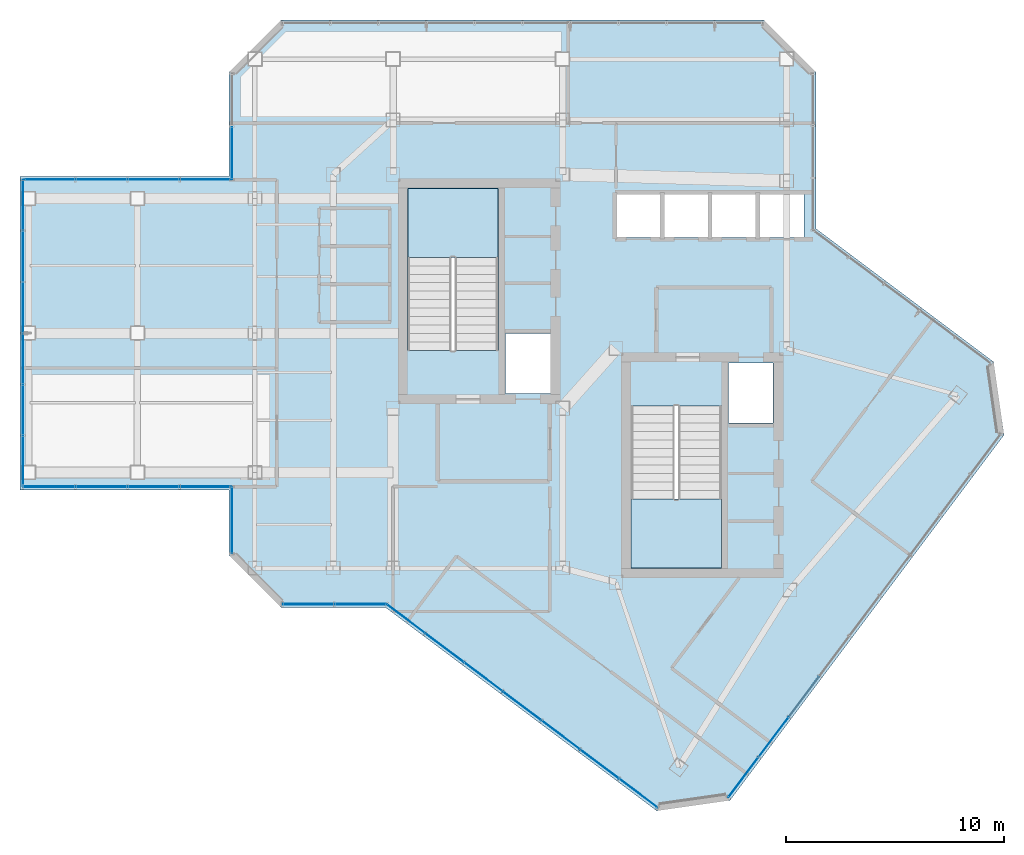
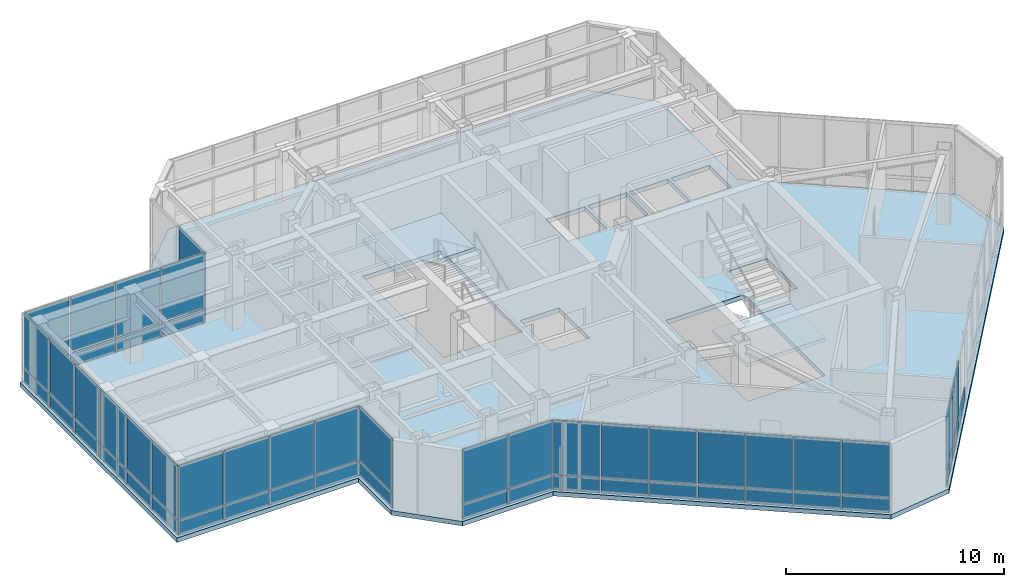
# One storey, part 16 of 22: 55 plates, 3 slabs, 10 elements without a shape of their own.
"""IFC4 building model written with IfcOpenShell, lengths in metres."""

from ifc_helpers import new_model, si_unit, direction, frame, origin, origin_2d, place, context, subcontext, project, spatial, polyline, rectangle, outline, extrude, material, layer, layer_set, type_object, element, aggregate, save


model = new_model("IFC4")

# Units and contexts
model_context = context("Model", 3, precision=1e-05, world=origin(), true_north=direction((0.0, 1.0)))
body_context = subcontext(model_context, "Body", "Model", "MODEL_VIEW")
ifc_project = project(units=[si_unit("LENGTHUNIT", "METRE"), si_unit("AREAUNIT", "SQUARE_METRE"), si_unit("VOLUMEUNIT", "CUBIC_METRE"), si_unit("PLANEANGLEUNIT", "RADIAN"), si_unit("MASSUNIT", "GRAM", prefix="KILO")], contexts=[model_context])

# Site, building, storey
site_placement = place(None, origin())
site = spatial("IfcSite", under=ifc_project, at=site_placement, CompositionType="ELEMENT")
building_placement = place(site_placement, origin())
building = spatial("IfcBuilding", under=site, at=building_placement, Name="Hatsunagi Terrace Concourse", CompositionType="ELEMENT")
storey_placement = place(building_placement, frame((0.0, 0.0, 261.75)))
storey = spatial("IfcBuildingStorey", under=building, at=storey_placement, Name="L69", CompositionType="ELEMENT", Elevation=261.75)

# Curtain wall, plate
ifc_material_1 = material(Name="Anodised Aluminium Alloy 6063-T5", Category="aluminium")
ifc_layer_1 = layer(ifc_material_1, 0.199951171875)
ifc_layer_set_1 = layer_set([ifc_layer_1], Name="SkyLobbyAtrium_CW05")
curtain_wall_type = type_object("IfcCurtainWallType", Name="SkyLobbyAtrium_CW05", PredefinedType="NOTDEFINED", material=ifc_layer_set_1)
curtain_wall_1_placement = place(storey_placement, origin())
curtain_wall_1 = element("IfcCurtainWall", 1, at=curtain_wall_1_placement, inside=storey, type_object=curtain_wall_type, Name="Unitised Curtain Wall CW-05 CW-L69-01", PredefinedType="NOTDEFINED")
ifc_material_2 = material(Name="Warm Terracotta Ceramic Spandrel Panel", Category="masonry")
ifc_layer_2 = layer(ifc_material_2, 0.031982421875)
ifc_layer_set_2 = layer_set([ifc_layer_2], Name="CurtainWallSpandrelPanel_32")
plate_type_1 = type_object("IfcPlateType", Name="CurtainWallSpandrelPanel_32", PredefinedType="SHEET", material=ifc_layer_set_2)
plate_1_placement = place(storey_placement, frame((18.139892578125, 44.281005859375, 0.030029296875), z_axis=(0.0, 0.0, 1.0), x_axis=(0.0, 1.0, 0.0)))
plate_1 = element("IfcPlate", 2, at=plate_1_placement, type_object=plate_type_1, Name="Terracotta Spandrel Panel SPN-01", PredefinedType="SHEET", context=body_context, shape_type="SweptSolid", body=[
    extrude(rectangle(XDim=2.385986328125, YDim=0.031982421875, at=origin_2d()), origin(), (0.0, 0.0, 1.0), 0.7900390625),
])

# Curtain wall, plates
curtain_wall_2_placement = place(storey_placement, origin())
curtain_wall_2 = element("IfcCurtainWall", 3, at=curtain_wall_2_placement, inside=storey, type_object=curtain_wall_type, Name="Unitised Curtain Wall CW-05 CW-L69-08", PredefinedType="NOTDEFINED")
plate_2_placement = place(storey_placement, frame((44.444091796875, 19.291015625, 0.030029296875), z_axis=(0.0, 0.0, 1.0), x_axis=(-0.599969314634, -0.800023013105, 0.0)))
plate_2 = element("IfcPlate", 4, at=plate_2_placement, type_object=plate_type_1, Name="Terracotta Spandrel Panel SPN-01", PredefinedType="SHEET", context=body_context, shape_type="SweptSolid", body=[
    extrude(rectangle(XDim=2.264892578125, YDim=0.031982421875, at=origin_2d()), origin(), (0.0, 0.0, 1.0), 0.7900390625),
])
plate_3_placement = place(storey_placement, frame((43.051025390625, 17.43505859375, 0.030029296875), z_axis=(0.0, 0.0, 1.0), x_axis=(-0.599969314634, -0.800023013105, 0.0)))
plate_3 = element("IfcPlate", 5, at=plate_3_placement, type_object=plate_type_1, Name="Terracotta Spandrel Panel SPN-01", PredefinedType="SHEET", context=body_context, shape_type="SweptSolid", body=[
    extrude(rectangle(XDim=2.264892578125, YDim=0.031982421875, at=origin_2d()), origin(), (0.0, 0.0, 1.0), 0.7900390625),
])
plate_4_placement = place(storey_placement, frame((41.658935546875, 15.577880859375, 0.030029296875), z_axis=(0.0, 0.0, 1.0), x_axis=(-0.599969314634, -0.800023013105, 0.0)))
plate_4 = element("IfcPlate", 6, at=plate_4_placement, type_object=plate_type_1, Name="Terracotta Spandrel Panel SPN-01", PredefinedType="SHEET", context=body_context, shape_type="SweptSolid", body=[
    extrude(rectangle(XDim=2.264892578125, YDim=0.031982421875, at=origin_2d()), origin(), (0.0, 0.0, 1.0), 0.7900390625),
])

curtain_wall_3_placement = place(storey_placement, origin())
curtain_wall_3 = element("IfcCurtainWall", 7, at=curtain_wall_3_placement, inside=storey, type_object=curtain_wall_type, Name="Unitised Curtain Wall CW-05 CW-L69-10", PredefinedType="NOTDEFINED")
plate_5_placement = place(storey_placement, frame((36.826904296875, 14.85498046875, 0.030029296875), z_axis=(0.0, 0.0, 1.0), x_axis=(-0.800007305671, 0.599990258982, 0.0)))
plate_5 = element("IfcPlate", 8, at=plate_5_placement, type_object=plate_type_1, Name="Terracotta Spandrel Panel SPN-01", PredefinedType="SHEET", context=body_context, shape_type="SweptSolid", body=[
    extrude(rectangle(XDim=2.172119140625, YDim=0.031982421875, at=origin_2d()), origin(), (0.0, 0.0, 1.0), 0.7900390625),
])
plate_6_placement = place(storey_placement, frame((35.0458984375, 16.19091796875, 0.030029296875), z_axis=(0.0, 0.0, 1.0), x_axis=(-0.800007305671, 0.599990258982, 0.0)))
plate_6 = element("IfcPlate", 9, at=plate_6_placement, type_object=plate_type_1, Name="Terracotta Spandrel Panel SPN-01", PredefinedType="SHEET", context=body_context, shape_type="SweptSolid", body=[
    extrude(rectangle(XDim=2.172119140625, YDim=0.031982421875, at=origin_2d()), origin(), (0.0, 0.0, 1.0), 0.7900390625),
])
plate_7_placement = place(storey_placement, frame((33.263916015625, 17.527099609375, 0.030029296875), z_axis=(0.0, 0.0, 1.0), x_axis=(-0.800007305671, 0.599990258982, 0.0)))
plate_7 = element("IfcPlate", 10, at=plate_7_placement, type_object=plate_type_1, Name="Terracotta Spandrel Panel SPN-01", PredefinedType="SHEET", context=body_context, shape_type="SweptSolid", body=[
    extrude(rectangle(XDim=2.172119140625, YDim=0.031982421875, at=origin_2d()), origin(), (0.0, 0.0, 1.0), 0.7900390625),
])
plate_8_placement = place(storey_placement, frame((31.48291015625, 18.863037109375, 0.030029296875), z_axis=(0.0, 0.0, 1.0), x_axis=(-0.800007305671, 0.599990258982, 0.0)))
plate_8 = element("IfcPlate", 11, at=plate_8_placement, type_object=plate_type_1, Name="Terracotta Spandrel Panel SPN-01", PredefinedType="SHEET", context=body_context, shape_type="SweptSolid", body=[
    extrude(rectangle(XDim=2.172119140625, YDim=0.031982421875, at=origin_2d()), origin(), (0.0, 0.0, 1.0), 0.7900390625),
])
plate_9_placement = place(storey_placement, frame((29.700927734375, 20.199951171875, 0.030029296875), z_axis=(0.0, 0.0, 1.0), x_axis=(-0.800007305671, 0.599990258982, 0.0)))
plate_9 = element("IfcPlate", 12, at=plate_9_placement, type_object=plate_type_1, Name="Terracotta Spandrel Panel SPN-01", PredefinedType="SHEET", context=body_context, shape_type="SweptSolid", body=[
    extrude(rectangle(XDim=2.172119140625, YDim=0.031982421875, at=origin_2d()), origin(), (0.0, 0.0, 1.0), 0.7900390625),
])
plate_10_placement = place(storey_placement, frame((27.9189453125, 21.535888671875, 0.030029296875), z_axis=(0.0, 0.0, 1.0), x_axis=(-0.800007305671, 0.599990258982, 0.0)))
plate_10 = element("IfcPlate", 13, at=plate_10_placement, type_object=plate_type_1, Name="Terracotta Spandrel Panel SPN-01", PredefinedType="SHEET", context=body_context, shape_type="SweptSolid", body=[
    extrude(rectangle(XDim=2.172119140625, YDim=0.031982421875, at=origin_2d()), origin(), (0.0, 0.0, 1.0), 0.7900390625),
])
plate_11_placement = place(storey_placement, frame((26.137939453125, 22.8720703125, 0.030029296875), z_axis=(0.0, 0.0, 1.0), x_axis=(-0.800007305671, 0.599990258982, 0.0)))
plate_11 = element("IfcPlate", 14, at=plate_11_placement, type_object=plate_type_1, Name="Terracotta Spandrel Panel SPN-01", PredefinedType="SHEET", context=body_context, shape_type="SweptSolid", body=[
    extrude(rectangle(XDim=2.172119140625, YDim=0.031982421875, at=origin_2d()), origin(), (0.0, 0.0, 1.0), 0.7900390625),
])

curtain_wall_4_placement = place(storey_placement, origin())
curtain_wall_4 = element("IfcCurtainWall", 15, at=curtain_wall_4_placement, inside=storey, type_object=curtain_wall_type, Name="Unitised Curtain Wall CW-05 CW-L69-11", PredefinedType="NOTDEFINED")
plate_12_placement = place(storey_placement, frame((24.050048828125, 23.5400390625, 0.030029296875), z_axis=(0.0, 0.0, 1.0), x_axis=(-1.0, 0.0, 0.0)))
plate_12 = element("IfcPlate", 16, at=plate_12_placement, type_object=plate_type_1, Name="Terracotta Spandrel Panel SPN-01", PredefinedType="SHEET", context=body_context, shape_type="SweptSolid", body=[
    extrude(rectangle(XDim=2.340087890625, YDim=0.031982421875, at=origin_2d()), origin(), (0.0, 0.0, 1.0), 0.7900390625),
])
plate_13_placement = place(storey_placement, frame((21.655029296875, 23.5400390625, 0.030029296875), z_axis=(0.0, 0.0, 1.0), x_axis=(-1.0, 0.0, 0.0)))
plate_13 = element("IfcPlate", 17, at=plate_13_placement, type_object=plate_type_1, Name="Terracotta Spandrel Panel SPN-01", PredefinedType="SHEET", context=body_context, shape_type="SweptSolid", body=[
    extrude(rectangle(XDim=2.340087890625, YDim=0.031982421875, at=origin_2d()), origin(), (0.0, 0.0, 1.0), 0.7900390625),
])

# Curtain wall, plate
curtain_wall_5_placement = place(storey_placement, origin())
curtain_wall_5 = element("IfcCurtainWall", 18, at=curtain_wall_5_placement, inside=storey, type_object=curtain_wall_type, Name="Unitised Curtain Wall CW-05 CW-L69-13", PredefinedType="NOTDEFINED")
plate_14_placement = place(storey_placement, frame((18.139892578125, 27.39892578125, 0.030029296875), z_axis=(0.0, 0.0, 1.0), x_axis=(0.0, 1.0, 0.0)))
plate_14 = element("IfcPlate", 19, at=plate_14_placement, type_object=plate_type_1, Name="Terracotta Spandrel Panel SPN-01", PredefinedType="SHEET", context=body_context, shape_type="SweptSolid", body=[
    extrude(rectangle(XDim=3.027099609375, YDim=0.031982421875, at=origin_2d()), origin(), (0.0, 0.0, 1.0), 0.7900390625),
])

# Curtain wall, plates
curtain_wall_6_placement = place(storey_placement, origin())
curtain_wall_6 = element("IfcCurtainWall", 20, at=curtain_wall_6_placement, inside=storey, type_object=curtain_wall_type, Name="Unitised Curtain Wall CW-05 CW-L69-14", PredefinedType="NOTDEFINED")
plate_15_placement = place(storey_placement, frame((16.93994140625, 28.93994140625, 0.030029296875), z_axis=(0.0, 0.0, 1.0), x_axis=(-1.0, 0.0, 0.0)))
plate_15 = element("IfcPlate", 21, at=plate_15_placement, type_object=plate_type_1, Name="Terracotta Spandrel Panel SPN-01", PredefinedType="SHEET", context=body_context, shape_type="SweptSolid", body=[
    extrude(rectangle(XDim=2.344970703125, YDim=0.031982421875, at=origin_2d()), origin(), (0.0, 0.0, 1.0), 0.7900390625),
])
plate_16_placement = place(storey_placement, frame((14.5400390625, 28.93994140625, 0.030029296875), z_axis=(0.0, 0.0, 1.0), x_axis=(-1.0, 0.0, 0.0)))
plate_16 = element("IfcPlate", 22, at=plate_16_placement, type_object=plate_type_1, Name="Terracotta Spandrel Panel SPN-01", PredefinedType="SHEET", context=body_context, shape_type="SweptSolid", body=[
    extrude(rectangle(XDim=2.344970703125, YDim=0.031982421875, at=origin_2d()), origin(), (0.0, 0.0, 1.0), 0.7900390625),
])
plate_17_placement = place(storey_placement, frame((12.139892578125, 28.93994140625, 0.030029296875), z_axis=(0.0, 0.0, 1.0), x_axis=(-1.0, 0.0, 0.0)))
plate_17 = element("IfcPlate", 23, at=plate_17_placement, type_object=plate_type_1, Name="Terracotta Spandrel Panel SPN-01", PredefinedType="SHEET", context=body_context, shape_type="SweptSolid", body=[
    extrude(rectangle(XDim=2.344970703125, YDim=0.031982421875, at=origin_2d()), origin(), (0.0, 0.0, 1.0), 0.7900390625),
])
plate_18_placement = place(storey_placement, frame((9.739990234375, 28.93994140625, 0.030029296875), z_axis=(0.0, 0.0, 1.0), x_axis=(-1.0, 0.0, 0.0)))
plate_18 = element("IfcPlate", 24, at=plate_18_placement, type_object=plate_type_1, Name="Terracotta Spandrel Panel SPN-01", PredefinedType="SHEET", context=body_context, shape_type="SweptSolid", body=[
    extrude(rectangle(XDim=2.344970703125, YDim=0.031982421875, at=origin_2d()), origin(), (0.0, 0.0, 1.0), 0.7900390625),
])

curtain_wall_7_placement = place(storey_placement, origin())
curtain_wall_7 = element("IfcCurtainWall", 25, at=curtain_wall_7_placement, inside=storey, type_object=curtain_wall_type, Name="Unitised Curtain Wall CW-05 CW-L69-15", PredefinedType="NOTDEFINED")
plate_19_placement = place(storey_placement, frame((8.5400390625, 30.116943359375, 0.030029296875), z_axis=(0.0, 0.0, 1.0), x_axis=(0.0, 1.0, 0.0)))
plate_19 = element("IfcPlate", 26, at=plate_19_placement, type_object=plate_type_1, Name="Terracotta Spandrel Panel SPN-01", PredefinedType="SHEET", context=body_context, shape_type="SweptSolid", body=[
    extrude(rectangle(XDim=2.298095703125, YDim=0.031982421875, at=origin_2d()), origin(), (0.0, 0.0, 1.0), 0.7900390625),
])
plate_20_placement = place(storey_placement, frame((8.5400390625, 32.469970703125, 0.030029296875), z_axis=(0.0, 0.0, 1.0), x_axis=(0.0, 1.0, 0.0)))
plate_20 = element("IfcPlate", 27, at=plate_20_placement, type_object=plate_type_1, Name="Terracotta Spandrel Panel SPN-01", PredefinedType="SHEET", context=body_context, shape_type="SweptSolid", body=[
    extrude(rectangle(XDim=2.298095703125, YDim=0.031982421875, at=origin_2d()), origin(), (0.0, 0.0, 1.0), 0.7900390625),
])
plate_21_placement = place(storey_placement, frame((8.5400390625, 34.822998046875, 0.030029296875), z_axis=(0.0, 0.0, 1.0), x_axis=(0.0, 1.0, 0.0)))
plate_21 = element("IfcPlate", 28, at=plate_21_placement, type_object=plate_type_1, Name="Terracotta Spandrel Panel SPN-01", PredefinedType="SHEET", context=body_context, shape_type="SweptSolid", body=[
    extrude(rectangle(XDim=2.298095703125, YDim=0.031982421875, at=origin_2d()), origin(), (0.0, 0.0, 1.0), 0.7900390625),
])
plate_22_placement = place(storey_placement, frame((8.5400390625, 37.177001953125, 0.030029296875), z_axis=(0.0, 0.0, 1.0), x_axis=(0.0, 1.0, 0.0)))
plate_22 = element("IfcPlate", 29, at=plate_22_placement, type_object=plate_type_1, Name="Terracotta Spandrel Panel SPN-01", PredefinedType="SHEET", context=body_context, shape_type="SweptSolid", body=[
    extrude(rectangle(XDim=2.298095703125, YDim=0.031982421875, at=origin_2d()), origin(), (0.0, 0.0, 1.0), 0.7900390625),
])
plate_23_placement = place(storey_placement, frame((8.5400390625, 39.530029296875, 0.030029296875), z_axis=(0.0, 0.0, 1.0), x_axis=(0.0, 1.0, 0.0)))
plate_23 = element("IfcPlate", 30, at=plate_23_placement, type_object=plate_type_1, Name="Terracotta Spandrel Panel SPN-01", PredefinedType="SHEET", context=body_context, shape_type="SweptSolid", body=[
    extrude(rectangle(XDim=2.298095703125, YDim=0.031982421875, at=origin_2d()), origin(), (0.0, 0.0, 1.0), 0.7900390625),
])
plate_24_placement = place(storey_placement, frame((8.5400390625, 41.883056640625, 0.030029296875), z_axis=(0.0, 0.0, 1.0), x_axis=(0.0, 1.0, 0.0)))
plate_24 = element("IfcPlate", 31, at=plate_24_placement, type_object=plate_type_1, Name="Terracotta Spandrel Panel SPN-01", PredefinedType="SHEET", context=body_context, shape_type="SweptSolid", body=[
    extrude(rectangle(XDim=2.298095703125, YDim=0.031982421875, at=origin_2d()), origin(), (0.0, 0.0, 1.0), 0.7900390625),
])

curtain_wall_8_placement = place(storey_placement, origin())
curtain_wall_8 = element("IfcCurtainWall", 32, at=curtain_wall_8_placement, inside=storey, type_object=curtain_wall_type, Name="Unitised Curtain Wall CW-05 CW-L69-16", PredefinedType="NOTDEFINED")
plate_25_placement = place(storey_placement, frame((9.739990234375, 43.06005859375, 0.030029296875), z_axis=(0.0, 0.0, 1.0), x_axis=(1.0, 0.0, 0.0)))
plate_25 = element("IfcPlate", 33, at=plate_25_placement, type_object=plate_type_1, Name="Terracotta Spandrel Panel SPN-01", PredefinedType="SHEET", context=body_context, shape_type="SweptSolid", body=[
    extrude(rectangle(XDim=2.344970703125, YDim=0.031982421875, at=origin_2d()), origin(), (0.0, 0.0, 1.0), 0.7900390625),
])
plate_26_placement = place(storey_placement, frame((12.139892578125, 43.06005859375, 0.030029296875), z_axis=(0.0, 0.0, 1.0), x_axis=(1.0, 0.0, 0.0)))
plate_26 = element("IfcPlate", 34, at=plate_26_placement, type_object=plate_type_1, Name="Terracotta Spandrel Panel SPN-01", PredefinedType="SHEET", context=body_context, shape_type="SweptSolid", body=[
    extrude(rectangle(XDim=2.344970703125, YDim=0.031982421875, at=origin_2d()), origin(), (0.0, 0.0, 1.0), 0.7900390625),
])
plate_27_placement = place(storey_placement, frame((14.5400390625, 43.06005859375, 0.030029296875), z_axis=(0.0, 0.0, 1.0), x_axis=(1.0, 0.0, 0.0)))
plate_27 = element("IfcPlate", 35, at=plate_27_placement, type_object=plate_type_1, Name="Terracotta Spandrel Panel SPN-01", PredefinedType="SHEET", context=body_context, shape_type="SweptSolid", body=[
    extrude(rectangle(XDim=2.344970703125, YDim=0.031982421875, at=origin_2d()), origin(), (0.0, 0.0, 1.0), 0.7900390625),
])
plate_28_placement = place(storey_placement, frame((16.93994140625, 43.06005859375, 0.030029296875), z_axis=(0.0, 0.0, 1.0), x_axis=(1.0, 0.0, 0.0)))
plate_28 = element("IfcPlate", 36, at=plate_28_placement, type_object=plate_type_1, Name="Terracotta Spandrel Panel SPN-01", PredefinedType="SHEET", context=body_context, shape_type="SweptSolid", body=[
    extrude(rectangle(XDim=2.344970703125, YDim=0.031982421875, at=origin_2d()), origin(), (0.0, 0.0, 1.0), 0.7900390625),
])

# Plate
ifc_material_3 = material(Name="Low-E Double Insulating Glass 28mm", Category="glass")
ifc_layer_3 = layer(ifc_material_3, 0.028076171875)
ifc_layer_set_3 = layer_set([ifc_layer_3], Name="CurtainWallVisionGlass_28")
plate_type_2 = type_object("IfcPlateType", Name="CurtainWallVisionGlass_28", PredefinedType="CURTAIN_PANEL", material=ifc_layer_set_3)
plate_29_placement = place(storey_placement, frame((18.139892578125, 44.281005859375, 0.8798828125), z_axis=(0.0, 0.0, 1.0), x_axis=(0.0, 1.0, 0.0)))
plate_29 = element("IfcPlate", 37, at=plate_29_placement, type_object=plate_type_2, Name="Low-E Vision Glass Panel GLZ-01", PredefinedType="CURTAIN_PANEL", context=body_context, shape_type="SweptSolid", body=[
    extrude(rectangle(XDim=2.385986328125, YDim=0.028076171875, at=origin_2d()), origin(), (0.0, 0.0, 1.0), 3.030029296875),
])

aggregate(curtain_wall_1, [plate_1, plate_29])

plate_30_placement = place(storey_placement, frame((43.051025390625, 17.43505859375, 0.8798828125), z_axis=(0.0, 0.0, 1.0), x_axis=(-0.599969314634, -0.800023013105, 0.0)))
plate_30 = element("IfcPlate", 38, at=plate_30_placement, type_object=plate_type_2, Name="Low-E Vision Glass Panel GLZ-01", PredefinedType="CURTAIN_PANEL", context=body_context, shape_type="SweptSolid", body=[
    extrude(rectangle(XDim=2.264892578125, YDim=0.028076171875, at=origin_2d()), origin(), (0.0, 0.0, 1.0), 3.030029296875),
])

plate_31_placement = place(storey_placement, frame((41.658935546875, 15.577880859375, 0.8798828125), z_axis=(0.0, 0.0, 1.0), x_axis=(-0.599969314634, -0.800023013105, 0.0)))
plate_31 = element("IfcPlate", 39, at=plate_31_placement, type_object=plate_type_2, Name="Low-E Vision Glass Panel GLZ-01", PredefinedType="CURTAIN_PANEL", context=body_context, shape_type="SweptSolid", body=[
    extrude(rectangle(XDim=2.264892578125, YDim=0.028076171875, at=origin_2d()), origin(), (0.0, 0.0, 1.0), 3.030029296875),
])

aggregate(curtain_wall_2, [plate_2, plate_3, plate_30, plate_4, plate_31])

plate_32_placement = place(storey_placement, frame((36.826904296875, 14.85498046875, 0.8798828125), z_axis=(0.0, 0.0, 1.0), x_axis=(-0.800007305671, 0.599990258982, 0.0)))
plate_32 = element("IfcPlate", 40, at=plate_32_placement, type_object=plate_type_2, Name="Low-E Vision Glass Panel GLZ-01", PredefinedType="CURTAIN_PANEL", context=body_context, shape_type="SweptSolid", body=[
    extrude(rectangle(XDim=2.172119140625, YDim=0.028076171875, at=origin_2d()), origin(), (0.0, 0.0, 1.0), 3.030029296875),
])

plate_33_placement = place(storey_placement, frame((35.0458984375, 16.19091796875, 0.8798828125), z_axis=(0.0, 0.0, 1.0), x_axis=(-0.800007305671, 0.599990258982, 0.0)))
plate_33 = element("IfcPlate", 41, at=plate_33_placement, type_object=plate_type_2, Name="Low-E Vision Glass Panel GLZ-01", PredefinedType="CURTAIN_PANEL", context=body_context, shape_type="SweptSolid", body=[
    extrude(rectangle(XDim=2.172119140625, YDim=0.028076171875, at=origin_2d()), origin(), (0.0, 0.0, 1.0), 3.030029296875),
])

plate_34_placement = place(storey_placement, frame((33.263916015625, 17.527099609375, 0.8798828125), z_axis=(0.0, 0.0, 1.0), x_axis=(-0.800007305671, 0.599990258982, 0.0)))
plate_34 = element("IfcPlate", 42, at=plate_34_placement, type_object=plate_type_2, Name="Low-E Vision Glass Panel GLZ-01", PredefinedType="CURTAIN_PANEL", context=body_context, shape_type="SweptSolid", body=[
    extrude(rectangle(XDim=2.172119140625, YDim=0.028076171875, at=origin_2d()), origin(), (0.0, 0.0, 1.0), 3.030029296875),
])

plate_35_placement = place(storey_placement, frame((31.48291015625, 18.863037109375, 0.8798828125), z_axis=(0.0, 0.0, 1.0), x_axis=(-0.800007305671, 0.599990258982, 0.0)))
plate_35 = element("IfcPlate", 43, at=plate_35_placement, type_object=plate_type_2, Name="Low-E Vision Glass Panel GLZ-01", PredefinedType="CURTAIN_PANEL", context=body_context, shape_type="SweptSolid", body=[
    extrude(rectangle(XDim=2.172119140625, YDim=0.028076171875, at=origin_2d()), origin(), (0.0, 0.0, 1.0), 3.030029296875),
])

plate_36_placement = place(storey_placement, frame((29.700927734375, 20.199951171875, 0.8798828125), z_axis=(0.0, 0.0, 1.0), x_axis=(-0.800007305671, 0.599990258982, 0.0)))
plate_36 = element("IfcPlate", 44, at=plate_36_placement, type_object=plate_type_2, Name="Low-E Vision Glass Panel GLZ-01", PredefinedType="CURTAIN_PANEL", context=body_context, shape_type="SweptSolid", body=[
    extrude(rectangle(XDim=2.172119140625, YDim=0.028076171875, at=origin_2d()), origin(), (0.0, 0.0, 1.0), 3.030029296875),
])

plate_37_placement = place(storey_placement, frame((27.9189453125, 21.535888671875, 0.8798828125), z_axis=(0.0, 0.0, 1.0), x_axis=(-0.800007305671, 0.599990258982, 0.0)))
plate_37 = element("IfcPlate", 45, at=plate_37_placement, type_object=plate_type_2, Name="Low-E Vision Glass Panel GLZ-01", PredefinedType="CURTAIN_PANEL", context=body_context, shape_type="SweptSolid", body=[
    extrude(rectangle(XDim=2.172119140625, YDim=0.028076171875, at=origin_2d()), origin(), (0.0, 0.0, 1.0), 3.030029296875),
])

plate_38_placement = place(storey_placement, frame((26.137939453125, 22.8720703125, 0.8798828125), z_axis=(0.0, 0.0, 1.0), x_axis=(-0.800007305671, 0.599990258982, 0.0)))
plate_38 = element("IfcPlate", 46, at=plate_38_placement, type_object=plate_type_2, Name="Low-E Vision Glass Panel GLZ-01", PredefinedType="CURTAIN_PANEL", context=body_context, shape_type="SweptSolid", body=[
    extrude(rectangle(XDim=2.172119140625, YDim=0.028076171875, at=origin_2d()), origin(), (0.0, 0.0, 1.0), 3.030029296875),
])

aggregate(curtain_wall_3, [plate_5, plate_32, plate_6, plate_33, plate_7, plate_34, plate_8, plate_35, plate_9, plate_36, plate_10, plate_37, plate_11, plate_38])

plate_39_placement = place(storey_placement, frame((24.050048828125, 23.5400390625, 0.8798828125), z_axis=(0.0, 0.0, 1.0), x_axis=(-1.0, 0.0, 0.0)))
plate_39 = element("IfcPlate", 47, at=plate_39_placement, type_object=plate_type_2, Name="Low-E Vision Glass Panel GLZ-01", PredefinedType="CURTAIN_PANEL", context=body_context, shape_type="SweptSolid", body=[
    extrude(rectangle(XDim=2.340087890625, YDim=0.028076171875, at=origin_2d()), origin(), (0.0, 0.0, 1.0), 3.030029296875),
])

plate_40_placement = place(storey_placement, frame((21.655029296875, 23.5400390625, 0.8798828125), z_axis=(0.0, 0.0, 1.0), x_axis=(-1.0, 0.0, 0.0)))
plate_40 = element("IfcPlate", 48, at=plate_40_placement, type_object=plate_type_2, Name="Low-E Vision Glass Panel GLZ-01", PredefinedType="CURTAIN_PANEL", context=body_context, shape_type="SweptSolid", body=[
    extrude(rectangle(XDim=2.340087890625, YDim=0.028076171875, at=origin_2d()), origin(), (0.0, 0.0, 1.0), 3.030029296875),
])

aggregate(curtain_wall_4, [plate_12, plate_39, plate_13, plate_40])

plate_41_placement = place(storey_placement, frame((18.139892578125, 27.39892578125, 0.8798828125), z_axis=(0.0, 0.0, 1.0), x_axis=(0.0, 1.0, 0.0)))
plate_41 = element("IfcPlate", 49, at=plate_41_placement, type_object=plate_type_2, Name="Low-E Vision Glass Panel GLZ-01", PredefinedType="CURTAIN_PANEL", context=body_context, shape_type="SweptSolid", body=[
    extrude(rectangle(XDim=3.027099609375, YDim=0.028076171875, at=origin_2d()), origin(), (0.0, 0.0, 1.0), 3.030029296875),
])

aggregate(curtain_wall_5, [plate_14, plate_41])

plate_42_placement = place(storey_placement, frame((16.93994140625, 28.93994140625, 0.8798828125), z_axis=(0.0, 0.0, 1.0), x_axis=(-1.0, 0.0, 0.0)))
plate_42 = element("IfcPlate", 50, at=plate_42_placement, type_object=plate_type_2, Name="Low-E Vision Glass Panel GLZ-01", PredefinedType="CURTAIN_PANEL", context=body_context, shape_type="SweptSolid", body=[
    extrude(rectangle(XDim=2.344970703125, YDim=0.028076171875, at=origin_2d()), origin(), (0.0, 0.0, 1.0), 3.030029296875),
])

plate_43_placement = place(storey_placement, frame((14.5400390625, 28.93994140625, 0.8798828125), z_axis=(0.0, 0.0, 1.0), x_axis=(-1.0, 0.0, 0.0)))
plate_43 = element("IfcPlate", 51, at=plate_43_placement, type_object=plate_type_2, Name="Low-E Vision Glass Panel GLZ-01", PredefinedType="CURTAIN_PANEL", context=body_context, shape_type="SweptSolid", body=[
    extrude(rectangle(XDim=2.344970703125, YDim=0.028076171875, at=origin_2d()), origin(), (0.0, 0.0, 1.0), 3.030029296875),
])

plate_44_placement = place(storey_placement, frame((12.139892578125, 28.93994140625, 0.8798828125), z_axis=(0.0, 0.0, 1.0), x_axis=(-1.0, 0.0, 0.0)))
plate_44 = element("IfcPlate", 52, at=plate_44_placement, type_object=plate_type_2, Name="Low-E Vision Glass Panel GLZ-01", PredefinedType="CURTAIN_PANEL", context=body_context, shape_type="SweptSolid", body=[
    extrude(rectangle(XDim=2.344970703125, YDim=0.028076171875, at=origin_2d()), origin(), (0.0, 0.0, 1.0), 3.030029296875),
])

plate_45_placement = place(storey_placement, frame((9.739990234375, 28.93994140625, 0.8798828125), z_axis=(0.0, 0.0, 1.0), x_axis=(-1.0, 0.0, 0.0)))
plate_45 = element("IfcPlate", 53, at=plate_45_placement, type_object=plate_type_2, Name="Low-E Vision Glass Panel GLZ-01", PredefinedType="CURTAIN_PANEL", context=body_context, shape_type="SweptSolid", body=[
    extrude(rectangle(XDim=2.344970703125, YDim=0.028076171875, at=origin_2d()), origin(), (0.0, 0.0, 1.0), 3.030029296875),
])

aggregate(curtain_wall_6, [plate_15, plate_42, plate_16, plate_43, plate_17, plate_44, plate_18, plate_45])

plate_46_placement = place(storey_placement, frame((8.5400390625, 30.116943359375, 0.8798828125), z_axis=(0.0, 0.0, 1.0), x_axis=(0.0, 1.0, 0.0)))
plate_46 = element("IfcPlate", 54, at=plate_46_placement, type_object=plate_type_2, Name="Low-E Vision Glass Panel GLZ-01", PredefinedType="CURTAIN_PANEL", context=body_context, shape_type="SweptSolid", body=[
    extrude(rectangle(XDim=2.298095703125, YDim=0.028076171875, at=origin_2d()), origin(), (0.0, 0.0, 1.0), 3.030029296875),
])

plate_47_placement = place(storey_placement, frame((8.5400390625, 32.469970703125, 0.8798828125), z_axis=(0.0, 0.0, 1.0), x_axis=(0.0, 1.0, 0.0)))
plate_47 = element("IfcPlate", 55, at=plate_47_placement, type_object=plate_type_2, Name="Low-E Vision Glass Panel GLZ-01", PredefinedType="CURTAIN_PANEL", context=body_context, shape_type="SweptSolid", body=[
    extrude(rectangle(XDim=2.298095703125, YDim=0.028076171875, at=origin_2d()), origin(), (0.0, 0.0, 1.0), 3.030029296875),
])

plate_48_placement = place(storey_placement, frame((8.5400390625, 34.822998046875, 0.8798828125), z_axis=(0.0, 0.0, 1.0), x_axis=(0.0, 1.0, 0.0)))
plate_48 = element("IfcPlate", 56, at=plate_48_placement, type_object=plate_type_2, Name="Low-E Vision Glass Panel GLZ-01", PredefinedType="CURTAIN_PANEL", context=body_context, shape_type="SweptSolid", body=[
    extrude(rectangle(XDim=2.298095703125, YDim=0.028076171875, at=origin_2d()), origin(), (0.0, 0.0, 1.0), 3.030029296875),
])

plate_49_placement = place(storey_placement, frame((8.5400390625, 37.177001953125, 0.8798828125), z_axis=(0.0, 0.0, 1.0), x_axis=(0.0, 1.0, 0.0)))
plate_49 = element("IfcPlate", 57, at=plate_49_placement, type_object=plate_type_2, Name="Low-E Vision Glass Panel GLZ-01", PredefinedType="CURTAIN_PANEL", context=body_context, shape_type="SweptSolid", body=[
    extrude(rectangle(XDim=2.298095703125, YDim=0.028076171875, at=origin_2d()), origin(), (0.0, 0.0, 1.0), 3.030029296875),
])

plate_50_placement = place(storey_placement, frame((8.5400390625, 39.530029296875, 0.8798828125), z_axis=(0.0, 0.0, 1.0), x_axis=(0.0, 1.0, 0.0)))
plate_50 = element("IfcPlate", 58, at=plate_50_placement, type_object=plate_type_2, Name="Low-E Vision Glass Panel GLZ-01", PredefinedType="CURTAIN_PANEL", context=body_context, shape_type="SweptSolid", body=[
    extrude(rectangle(XDim=2.298095703125, YDim=0.028076171875, at=origin_2d()), origin(), (0.0, 0.0, 1.0), 3.030029296875),
])

plate_51_placement = place(storey_placement, frame((8.5400390625, 41.883056640625, 0.8798828125), z_axis=(0.0, 0.0, 1.0), x_axis=(0.0, 1.0, 0.0)))
plate_51 = element("IfcPlate", 59, at=plate_51_placement, type_object=plate_type_2, Name="Low-E Vision Glass Panel GLZ-01", PredefinedType="CURTAIN_PANEL", context=body_context, shape_type="SweptSolid", body=[
    extrude(rectangle(XDim=2.298095703125, YDim=0.028076171875, at=origin_2d()), origin(), (0.0, 0.0, 1.0), 3.030029296875),
])

aggregate(curtain_wall_7, [plate_19, plate_46, plate_20, plate_47, plate_21, plate_48, plate_22, plate_49, plate_23, plate_50, plate_24, plate_51])

plate_52_placement = place(storey_placement, frame((9.739990234375, 43.06005859375, 0.8798828125), z_axis=(0.0, 0.0, 1.0), x_axis=(1.0, 0.0, 0.0)))
plate_52 = element("IfcPlate", 60, at=plate_52_placement, type_object=plate_type_2, Name="Low-E Vision Glass Panel GLZ-01", PredefinedType="CURTAIN_PANEL", context=body_context, shape_type="SweptSolid", body=[
    extrude(rectangle(XDim=2.344970703125, YDim=0.028076171875, at=origin_2d()), origin(), (0.0, 0.0, 1.0), 3.030029296875),
])

plate_53_placement = place(storey_placement, frame((12.139892578125, 43.06005859375, 0.8798828125), z_axis=(0.0, 0.0, 1.0), x_axis=(1.0, 0.0, 0.0)))
plate_53 = element("IfcPlate", 61, at=plate_53_placement, type_object=plate_type_2, Name="Low-E Vision Glass Panel GLZ-01", PredefinedType="CURTAIN_PANEL", context=body_context, shape_type="SweptSolid", body=[
    extrude(rectangle(XDim=2.344970703125, YDim=0.028076171875, at=origin_2d()), origin(), (0.0, 0.0, 1.0), 3.030029296875),
])

plate_54_placement = place(storey_placement, frame((14.5400390625, 43.06005859375, 0.8798828125), z_axis=(0.0, 0.0, 1.0), x_axis=(1.0, 0.0, 0.0)))
plate_54 = element("IfcPlate", 62, at=plate_54_placement, type_object=plate_type_2, Name="Low-E Vision Glass Panel GLZ-01", PredefinedType="CURTAIN_PANEL", context=body_context, shape_type="SweptSolid", body=[
    extrude(rectangle(XDim=2.344970703125, YDim=0.028076171875, at=origin_2d()), origin(), (0.0, 0.0, 1.0), 3.030029296875),
])

plate_55_placement = place(storey_placement, frame((16.93994140625, 43.06005859375, 0.8798828125), z_axis=(0.0, 0.0, 1.0), x_axis=(1.0, 0.0, 0.0)))
plate_55 = element("IfcPlate", 63, at=plate_55_placement, type_object=plate_type_2, Name="Low-E Vision Glass Panel GLZ-01", PredefinedType="CURTAIN_PANEL", context=body_context, shape_type="SweptSolid", body=[
    extrude(rectangle(XDim=2.344970703125, YDim=0.028076171875, at=origin_2d()), origin(), (0.0, 0.0, 1.0), 3.030029296875),
])

aggregate(curtain_wall_8, [plate_25, plate_52, plate_26, plate_53, plate_27, plate_54, plate_28, plate_55])

# Stair, slab
ifc_material_4 = material(Name="Concrete Fc42", Category="concrete")
stair_type = type_object("IfcStairType", Name="DoglegExitStair_Tower2000_24R_175", PredefinedType="HALF_TURN_STAIR", material=ifc_material_4)
stair_1_placement = place(storey_placement, origin())
stair_1 = element("IfcStair", 64, at=stair_1_placement, inside=storey, type_object=stair_type, Name="L69 Core A Protected Exit Stair ST-A", PredefinedType="HALF_TURN_STAIR")
ifc_material_5 = material(Name="Concrete Fc42", Category="concrete")
ifc_layer_4 = layer(ifc_material_5, 0.199951171875)
ifc_layer_set_4 = layer_set([ifc_layer_4], Name="DoglegStairLanding_Tower2000")
slab_type_1 = type_object("IfcSlabType", Name="DoglegStairLanding_Tower2000", PredefinedType="LANDING", material=ifc_layer_set_4)
slab_1_placement = place(storey_placement, frame((0.0, 0.0, 1.89990234375)))
slab_1 = element("IfcSlab", 65, at=slab_1_placement, type_object=slab_type_1, Name="ST-A landing 1", PredefinedType="LANDING", context=body_context, shape_type="SweptSolid", body=[
    extrude(outline(polyline([(30.3798828125, 39.489990234375), (30.3798828125, 42.659912109375), (26.22998046875, 42.659912109375), (26.22998046875, 39.489990234375), (30.3798828125, 39.489990234375)])), origin(), (0.0, 0.0, 1.0), 0.2001953125),
])
aggregate(stair_1, [slab_1])

stair_2_placement = place(storey_placement, origin())
stair_2 = element("IfcStair", 66, at=stair_2_placement, inside=storey, type_object=stair_type, Name="L69 Core B Protected Exit Stair ST-B", PredefinedType="HALF_TURN_STAIR")
slab_2_placement = place(storey_placement, frame((0.0, 0.0, 1.89990234375)))
slab_2 = element("IfcSlab", 67, at=slab_2_placement, type_object=slab_type_1, Name="ST-B landing 1", PredefinedType="LANDING", context=body_context, shape_type="SweptSolid", body=[
    extrude(outline(polyline([(36.5, 28.3701171875), (36.5, 25.199951171875), (40.64990234375, 25.199951171875), (40.64990234375, 28.3701171875), (36.5, 28.3701171875)])), origin(), (0.0, 0.0, 1.0), 0.2001953125),
])
aggregate(stair_2, [slab_2])

# Slab
ifc_material_6 = material(Name="Concrete Fc42", Category="concrete")
ifc_layer_5 = layer(ifc_material_6, 0.25)
ifc_layer_set_5 = layer_set([ifc_layer_5], Name="OfficeCrownSlab_Fc42_250")
slab_type_2 = type_object("IfcSlabType", Name="OfficeCrownSlab_Fc42_250", PredefinedType="FLOOR", material=ifc_layer_set_5)
slab_3_placement = place(storey_placement, frame((0.0, 0.0, -0.25)))
element("IfcSlab", 68, at=slab_3_placement, inside=storey, type_object=slab_type_2, Name="Floor Slab SL-250 L69", PredefinedType="FLOOR", context=body_context, shape_type="SweptSolid", body=[
    extrude(outline(polyline([(18.0, 43.199951171875), (8.39990234375, 43.199951171875), (8.39990234375, 28.800048828125), (18.0, 28.800048828125), (18.0, 25.800048828125), (20.39990234375, 23.39990234375), (25.199951171875, 23.39990234375), (37.679931640625, 14.0400390625), (41.0400390625, 14.52001953125), (53.639892578125, 31.320068359375), (53.159912109375, 34.679931640625), (45.0, 40.800048828125), (45.0, 48.0), (42.60009765625, 50.39990234375), (20.39990234375, 50.39990234375), (18.0, 48.0), (18.0, 43.199951171875)]), holes=[polyline([(26.22998046875, 35.205078125), (30.3798828125, 35.205078125), (30.3798828125, 42.659912109375), (26.22998046875, 42.659912109375), (26.22998046875, 35.205078125)]), polyline([(36.5, 25.199951171875), (40.64990234375, 25.199951171875), (40.64990234375, 32.655029296875), (36.5, 32.655029296875), (36.5, 25.199951171875)]), polyline([(30.719970703125, 33.219970703125), (32.780029296875, 33.219970703125), (32.780029296875, 35.97998046875), (30.719970703125, 35.97998046875), (30.719970703125, 33.219970703125)]), polyline([(40.97998046875, 31.8798828125), (43.02001953125, 31.8798828125), (43.02001953125, 34.639892578125), (40.97998046875, 34.639892578125), (40.97998046875, 31.8798828125)]), polyline([(35.800048828125, 40.39990234375), (37.85009765625, 40.39990234375), (37.85009765625, 42.39990234375), (35.800048828125, 42.39990234375), (35.800048828125, 40.39990234375)]), polyline([(38.0, 40.39990234375), (40.050048828125, 40.39990234375), (40.050048828125, 42.39990234375), (38.0, 42.39990234375), (38.0, 40.39990234375)]), polyline([(40.199951171875, 40.39990234375), (42.25, 40.39990234375), (42.25, 42.39990234375), (40.199951171875, 42.39990234375), (40.199951171875, 40.39990234375)]), polyline([(42.39990234375, 40.39990234375), (44.449951171875, 40.39990234375), (44.449951171875, 42.39990234375), (42.39990234375, 42.39990234375), (42.39990234375, 40.39990234375)])]), origin(), (0.0, 0.0, 1.0), 0.25),
])

save(model, "model.ifc")
